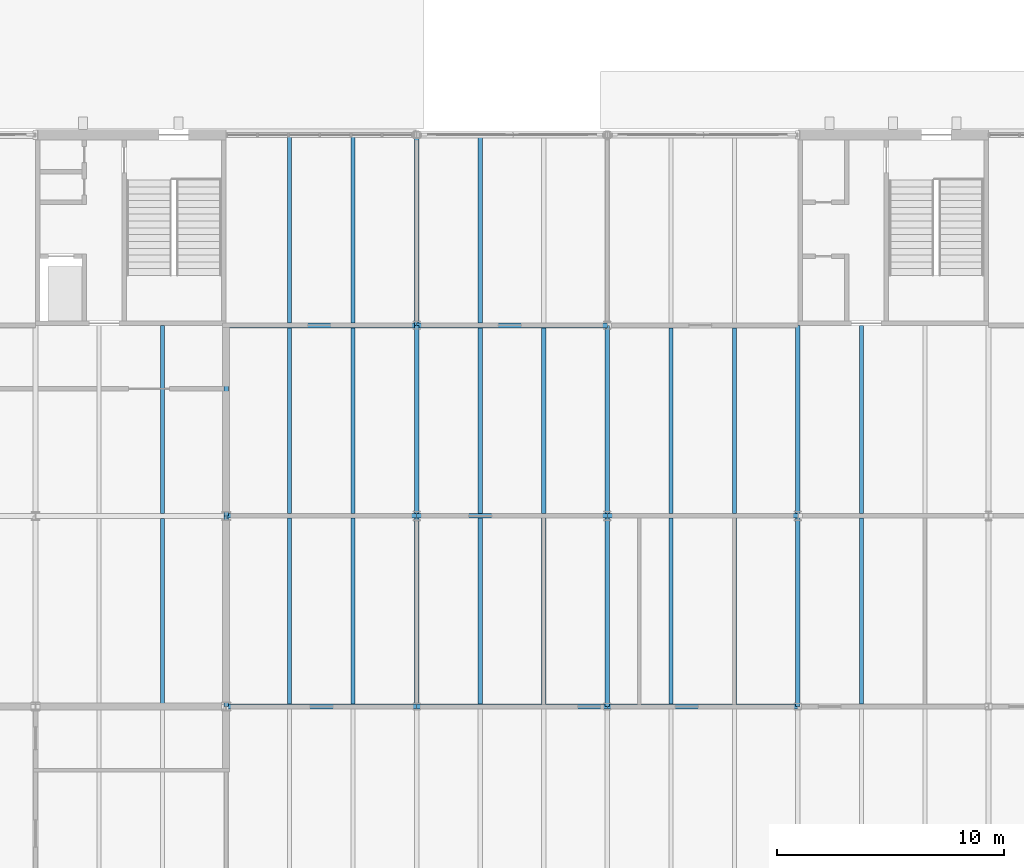
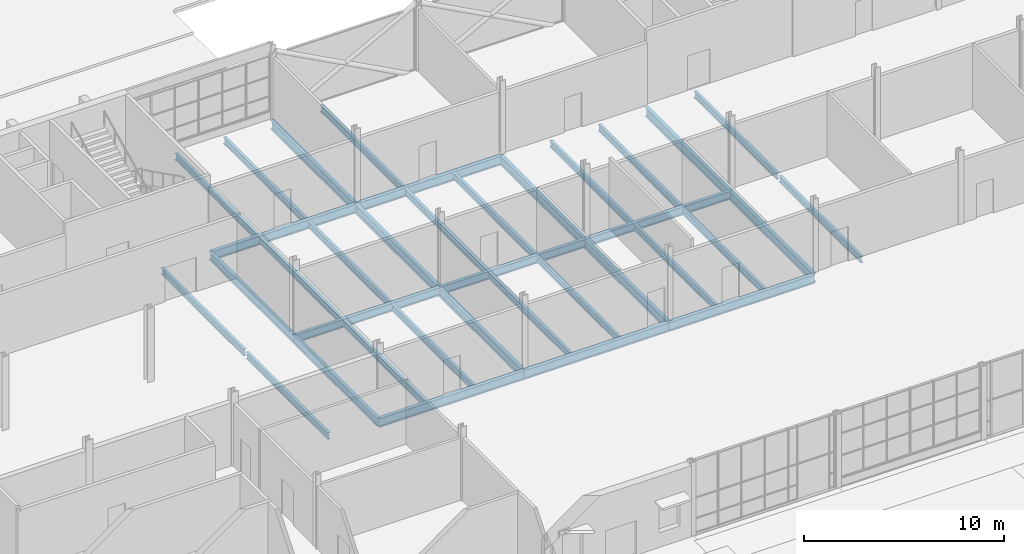
# One storey, part 55 of 116: 36 beams.
"""IFC4 building model written with IfcOpenShell, lengths in metres."""

from ifc_helpers import new_model, si_unit, direction, frame, origin, origin_2d, place, context, subcontext, project, spatial, i_section, extrude, material, material_profile, profile_set, type_object, element, save


model = new_model("IFC4")

# Units and contexts
model_context = context("Model", 3, precision=1e-05, world=origin(), true_north=direction((0.0, 1.0)))
body_context = subcontext(model_context, "Body", "Model", "MODEL_VIEW")
ifc_project = project(units=[si_unit("LENGTHUNIT", "METRE"), si_unit("AREAUNIT", "SQUARE_METRE"), si_unit("VOLUMEUNIT", "CUBIC_METRE"), si_unit("PLANEANGLEUNIT", "RADIAN"), si_unit("MASSUNIT", "GRAM", prefix="KILO")], contexts=[model_context])

# Site, building, storey
site_placement = place(None, origin())
site = spatial("IfcSite", under=ifc_project, at=site_placement, CompositionType="ELEMENT")
building_placement = place(site_placement, origin())
building = spatial("IfcBuilding", under=site, at=building_placement, Name="Ardhachandra Cancer Care Centre", CompositionType="ELEMENT")
storey_placement = place(building_placement, origin())
storey = spatial("IfcBuildingStorey", under=building, at=storey_placement, Name="L00", CompositionType="ELEMENT", Elevation=0.0)

# Beams
ifc_material_1 = material(Name="Steel E350 (IS 2062)", Category="steel")
ifc_material_profile_1 = material_profile(ifc_material_1, i_section(OverallWidth=0.179931640625, OverallDepth=0.39990234375, WebThickness=0.008544921875, FlangeThickness=0.013427734375, FilletRadius=0.02099609375, at=origin_2d()), Name="NPB 400x180x66.30")
ifc_profile_set_1 = profile_set([ifc_material_profile_1], Name="Steel E350 (IS 2062)")
beam_type_1 = type_object("IfcBeamType", Name="Beam NPB 400x180x66.30", PredefinedType="BEAM", material=ifc_profile_set_1)
beam_1_placement = place(storey_placement, frame((41.60009765625, 71.5, -0.35009765625), z_axis=(0.0, 1.0, 0.0), x_axis=(-1.0, 0.0, 0.0)))
element("IfcBeam", 1, at=beam_1_placement, inside=storey, type_object=beam_type_1, Name="Secondary H4-J4@5600", PredefinedType="BEAM", context=body_context, shape_type="SweptSolid", body=[
    extrude(i_section(OverallWidth=0.179931640625, OverallDepth=0.39990234375, WebThickness=0.008544921875, FlangeThickness=0.013427734375, FilletRadius=0.02099609375, at=origin_2d()), origin(), (0.0, 0.0, 1.0), 8.195068359375),
])
beam_2_placement = place(storey_placement, frame((41.60009765625, 79.905029296875, -0.35009765625), z_axis=(0.0, 1.0, 0.0), x_axis=(-1.0, 0.0, 0.0)))
element("IfcBeam", 2, at=beam_2_placement, inside=storey, type_object=beam_type_1, Name="Secondary J4-K4@5600", PredefinedType="BEAM", context=body_context, shape_type="SweptSolid", body=[
    extrude(i_section(OverallWidth=0.179931640625, OverallDepth=0.39990234375, WebThickness=0.008544921875, FlangeThickness=0.013427734375, FilletRadius=0.02099609375, at=origin_2d()), origin(), (0.0, 0.0, 1.0), 8.294921875),
])
for number, where, z_axis, x_axis, name in (
    (3, (47.199951171875, 71.5048828125, -0.35009765625), (0.0, 1.0, 0.0), (-1.0, 0.0, 0.0), "Secondary H5-J5@2800"),
    (4, (47.199951171875, 79.89990234375, -0.35009765625), (0.0, 1.0, 0.0), (-1.0, 0.0, 0.0), "Secondary J5-K5@2800"),
    (5, (47.199951171875, 88.304931640625, -0.35009765625), (0.0, 1.0, 0.0), (-1.0, 0.0, 0.0), "Secondary K5-L5@2800"),
    (6, (50.0, 71.5048828125, -0.35009765625), (0.0, 1.0, 0.0), (-1.0, 0.0, 0.0), "Secondary H5-J5@5600"),
    (7, (50.0, 79.89990234375, -0.35009765625), (0.0, 1.0, 0.0), (-1.0, 0.0, 0.0), "Secondary J5-K5@5600"),
    (8, (50.0, 88.304931640625, -0.35009765625), (0.0, 1.0, 0.0), (-1.0, 0.0, 0.0), "Secondary K5-L5@5600"),
    (9, (55.60009765625, 71.5048828125, -0.35009765625), (0.0, 1.0, 0.0), (-1.0, 0.0, 0.0), "Secondary H6-J6@2800"),
    (10, (55.60009765625, 79.89990234375, -0.35009765625), (0.0, 1.0, 0.0), (-1.0, 0.0, 0.0), "Secondary J6-K6@2800"),
    (11, (55.60009765625, 88.304931640625, -0.35009765625), (0.0, 1.0, 0.0), (-1.0, 0.0, 0.0), "Secondary K6-L6@2800"),
    (12, (58.39990234375, 71.5048828125, -0.35009765625), (0.0, 1.0, 0.0), (-1.0, 0.0, 0.0), "Secondary H6-J6@5600"),
    (13, (58.39990234375, 79.89990234375, -0.35009765625), (0.0, 1.0, 0.0), (-1.0, 0.0, 0.0), "Secondary J6-K6@5600"),
    (14, (64.0, 71.5048828125, -0.35009765625), (0.0, 1.0, 0.0), (-1.0, 0.0, 0.0), "Secondary H7-J7@2800"),
    (15, (64.0, 79.89990234375, -0.35009765625), (0.0, 1.0, 0.0), (-1.0, 0.0, 0.0), "Secondary J7-K7@2800"),
    (16, (66.800048828125, 71.5048828125, -0.35009765625), (0.0, 1.0, 0.0), (-1.0, 0.0, 0.0), "Secondary H7-J7@5600"),
    (17, (66.800048828125, 79.89990234375, -0.35009765625), (0.0, 1.0, 0.0), (-1.0, 0.0, 0.0), "Secondary J7-K7@5600"),
    (18, (72.39990234375, 71.5048828125, -0.35009765625), (0.0, 1.0, 0.0), (-1.0, 0.0, 0.0), "Secondary H8-J8@2800"),
):
    element("IfcBeam", number, at=place(storey_placement, frame(where, z_axis=z_axis, x_axis=x_axis)), inside=storey, type_object=beam_type_1, Name=name, PredefinedType="BEAM", context=body_context, shape_type="SweptSolid", body=[
        extrude(i_section(OverallWidth=0.179931640625, OverallDepth=0.39990234375, WebThickness=0.008544921875, FlangeThickness=0.013427734375, FilletRadius=0.02099609375, at=origin_2d()), origin(), (0.0, 0.0, 1.0), 8.195068359375),
    ])
beam_3_placement = place(storey_placement, frame((72.39990234375, 79.89990234375, -0.35009765625), z_axis=(0.0, 1.0, 0.0), x_axis=(-1.0, 0.0, 0.0)))
element("IfcBeam", 19, at=beam_3_placement, inside=storey, type_object=beam_type_1, Name="Secondary J8-K8@2800", PredefinedType="BEAM", context=body_context, shape_type="SweptSolid", body=[
    extrude(i_section(OverallWidth=0.179931640625, OverallDepth=0.39990234375, WebThickness=0.008544921875, FlangeThickness=0.013427734375, FilletRadius=0.02099609375, at=origin_2d()), origin(), (0.0, 0.0, 1.0), 8.300048828125),
])
ifc_material_2 = material(Name="Steel E350 (IS 2062)", Category="steel")
ifc_material_profile_2 = material_profile(ifc_material_2, i_section(OverallWidth=0.199951171875, OverallDepth=0.5, WebThickness=0.01025390625, FlangeThickness=0.01611328125, FilletRadius=0.02099609375, at=origin_2d()), Name="NPB 500x200x90.68")
ifc_profile_set_2 = profile_set([ifc_material_profile_2], Name="Steel E350 (IS 2062)")
beam_type_2 = type_object("IfcBeamType", Name="Beam NPB 500x200x90.68", PredefinedType="BEAM", material=ifc_profile_set_2)
beam_4_placement = place(storey_placement, frame((44.39990234375, 79.800048828125, -0.39990234375), z_axis=(1.0, 0.0, 0.0), x_axis=(0.0, 1.0, 0.0)))
element("IfcBeam", 20, at=beam_4_placement, inside=storey, type_object=beam_type_2, Name="Edge girder J5-J6", PredefinedType="BEAM", context=body_context, shape_type="SweptSolid", body=[
    extrude(i_section(OverallWidth=0.199951171875, OverallDepth=0.5, WebThickness=0.01025390625, FlangeThickness=0.01611328125, FilletRadius=0.02099609375, at=origin_2d()), origin(), (0.0, 0.0, 1.0), 8.400146484375),
])
beam_5_placement = place(storey_placement, frame((52.800048828125, 79.800048828125, -0.39990234375), z_axis=(1.0, 0.0, 0.0), x_axis=(0.0, 1.0, 0.0)))
element("IfcBeam", 21, at=beam_5_placement, inside=storey, type_object=beam_type_2, Name="Edge girder J6-J7", PredefinedType="BEAM", context=body_context, shape_type="SweptSolid", body=[
    extrude(i_section(OverallWidth=0.199951171875, OverallDepth=0.5, WebThickness=0.01025390625, FlangeThickness=0.01611328125, FilletRadius=0.02099609375, at=origin_2d()), origin(), (0.0, 0.0, 1.0), 8.39990234375),
])
for number, where, z_axis, x_axis, name in (
    (22, (61.199951171875, 79.800048828125, -0.39990234375), (1.0, 0.0, 0.0), (0.0, 1.0, 0.0), "Edge girder J7-J8"),
    (23, (44.39990234375, 71.39990234375, -0.39990234375), (0.0, 1.0, 0.0), (-1.0, 0.0, 0.0), "Edge girder H5-J5"),
):
    element("IfcBeam", number, at=place(storey_placement, frame(where, z_axis=z_axis, x_axis=x_axis)), inside=storey, type_object=beam_type_2, Name=name, PredefinedType="BEAM", context=body_context, shape_type="SweptSolid", body=[
        extrude(i_section(OverallWidth=0.199951171875, OverallDepth=0.5, WebThickness=0.01025390625, FlangeThickness=0.01611328125, FilletRadius=0.02099609375, at=origin_2d()), origin(), (0.0, 0.0, 1.0), 8.400146484375),
    ])
beam_6_placement = place(storey_placement, frame((44.39990234375, 79.800048828125, -0.39990234375), z_axis=(0.0, 1.0, 0.0), x_axis=(-1.0, 0.0, 0.0)))
element("IfcBeam", 24, at=beam_6_placement, inside=storey, type_object=beam_type_2, Name="Edge girder J5-K5", PredefinedType="BEAM", context=body_context, shape_type="SweptSolid", body=[
    extrude(i_section(OverallWidth=0.199951171875, OverallDepth=0.5, WebThickness=0.01025390625, FlangeThickness=0.01611328125, FilletRadius=0.02099609375, at=origin_2d()), origin(), (0.0, 0.0, 1.0), 8.39990234375),
])
ifc_material_3 = material(Name="Steel E350 (IS 2062)", Category="steel")
ifc_material_profile_3 = material_profile(ifc_material_3, i_section(OverallWidth=0.2099609375, OverallDepth=0.550048828125, WebThickness=0.010986328125, FlangeThickness=0.01708984375, FilletRadius=0.02392578125, at=origin_2d()), Name="NPB 550x210x105.52")
ifc_profile_set_3 = profile_set([ifc_material_profile_3], Name="Steel E350 (IS 2062)")
beam_type_3 = type_object("IfcBeamType", Name="Beam NPB 550x210x105.52", PredefinedType="BEAM", material=ifc_profile_set_3)
beam_7_placement = place(storey_placement, frame((44.39990234375, 71.39990234375, -0.425048828125), z_axis=(1.0, 0.0, 0.0), x_axis=(0.0, 1.0, 0.0)))
element("IfcBeam", 25, at=beam_7_placement, inside=storey, type_object=beam_type_3, Name="Girder H5-H6", PredefinedType="BEAM", context=body_context, shape_type="SweptSolid", body=[
    extrude(i_section(OverallWidth=0.2099609375, OverallDepth=0.550048828125, WebThickness=0.010986328125, FlangeThickness=0.01708984375, FilletRadius=0.02392578125, at=origin_2d()), origin(), (0.0, 0.0, 1.0), 8.400146484375),
])
beam_8_placement = place(storey_placement, frame((52.800048828125, 71.39990234375, -0.425048828125), z_axis=(1.0, 0.0, 0.0), x_axis=(0.0, 1.0, 0.0)))
element("IfcBeam", 26, at=beam_8_placement, inside=storey, type_object=beam_type_3, Name="Girder H6-H7", PredefinedType="BEAM", context=body_context, shape_type="SweptSolid", body=[
    extrude(i_section(OverallWidth=0.2099609375, OverallDepth=0.550048828125, WebThickness=0.010986328125, FlangeThickness=0.01708984375, FilletRadius=0.02392578125, at=origin_2d()), origin(), (0.0, 0.0, 1.0), 8.39990234375),
])
for number, where, z_axis, x_axis, name in (
    (27, (61.199951171875, 71.39990234375, -0.425048828125), (1.0, 0.0, 0.0), (0.0, 1.0, 0.0), "Girder H7-H8"),
    (28, (44.39990234375, 88.199951171875, -0.425048828125), (1.0, 0.0, 0.0), (0.0, 1.0, 0.0), "Girder K5-K6"),
):
    element("IfcBeam", number, at=place(storey_placement, frame(where, z_axis=z_axis, x_axis=x_axis)), inside=storey, type_object=beam_type_3, Name=name, PredefinedType="BEAM", context=body_context, shape_type="SweptSolid", body=[
        extrude(i_section(OverallWidth=0.2099609375, OverallDepth=0.550048828125, WebThickness=0.010986328125, FlangeThickness=0.01708984375, FilletRadius=0.02392578125, at=origin_2d()), origin(), (0.0, 0.0, 1.0), 8.400146484375),
    ])
beam_9_placement = place(storey_placement, frame((52.800048828125, 88.199951171875, -0.425048828125), z_axis=(1.0, 0.0, 0.0), x_axis=(0.0, 1.0, 0.0)))
element("IfcBeam", 29, at=beam_9_placement, inside=storey, type_object=beam_type_3, Name="Girder K6-K7", PredefinedType="BEAM", context=body_context, shape_type="SweptSolid", body=[
    extrude(i_section(OverallWidth=0.2099609375, OverallDepth=0.550048828125, WebThickness=0.010986328125, FlangeThickness=0.01708984375, FilletRadius=0.02392578125, at=origin_2d()), origin(), (0.0, 0.0, 1.0), 8.39990234375),
])
beam_10_placement = place(storey_placement, frame((52.800048828125, 71.39990234375, -0.425048828125), z_axis=(0.0, 1.0, 0.0), x_axis=(-1.0, 0.0, 0.0)))
element("IfcBeam", 30, at=beam_10_placement, inside=storey, type_object=beam_type_3, Name="Girder H6-J6", PredefinedType="BEAM", context=body_context, shape_type="SweptSolid", body=[
    extrude(i_section(OverallWidth=0.2099609375, OverallDepth=0.550048828125, WebThickness=0.010986328125, FlangeThickness=0.01708984375, FilletRadius=0.02392578125, at=origin_2d()), origin(), (0.0, 0.0, 1.0), 8.400146484375),
])
beam_11_placement = place(storey_placement, frame((52.800048828125, 79.800048828125, -0.425048828125), z_axis=(0.0, 1.0, 0.0), x_axis=(-1.0, 0.0, 0.0)))
element("IfcBeam", 31, at=beam_11_placement, inside=storey, type_object=beam_type_3, Name="Girder J6-K6", PredefinedType="BEAM", context=body_context, shape_type="SweptSolid", body=[
    extrude(i_section(OverallWidth=0.2099609375, OverallDepth=0.550048828125, WebThickness=0.010986328125, FlangeThickness=0.01708984375, FilletRadius=0.02392578125, at=origin_2d()), origin(), (0.0, 0.0, 1.0), 8.39990234375),
])
for number, where, z_axis, x_axis, name in (
    (32, (52.800048828125, 88.199951171875, -0.425048828125), (0.0, 1.0, 0.0), (-1.0, 0.0, 0.0), "Girder K6-L6"),
    (33, (61.199951171875, 71.39990234375, -0.425048828125), (0.0, 1.0, 0.0), (-1.0, 0.0, 0.0), "Girder H7-J7"),
):
    element("IfcBeam", number, at=place(storey_placement, frame(where, z_axis=z_axis, x_axis=x_axis)), inside=storey, type_object=beam_type_3, Name=name, PredefinedType="BEAM", context=body_context, shape_type="SweptSolid", body=[
        extrude(i_section(OverallWidth=0.2099609375, OverallDepth=0.550048828125, WebThickness=0.010986328125, FlangeThickness=0.01708984375, FilletRadius=0.02392578125, at=origin_2d()), origin(), (0.0, 0.0, 1.0), 8.400146484375),
    ])
beam_12_placement = place(storey_placement, frame((61.199951171875, 79.800048828125, -0.425048828125), z_axis=(0.0, 1.0, 0.0), x_axis=(-1.0, 0.0, 0.0)))
element("IfcBeam", 34, at=beam_12_placement, inside=storey, type_object=beam_type_3, Name="Girder J7-K7", PredefinedType="BEAM", context=body_context, shape_type="SweptSolid", body=[
    extrude(i_section(OverallWidth=0.2099609375, OverallDepth=0.550048828125, WebThickness=0.010986328125, FlangeThickness=0.01708984375, FilletRadius=0.02392578125, at=origin_2d()), origin(), (0.0, 0.0, 1.0), 8.39990234375),
])
beam_13_placement = place(storey_placement, frame((69.60009765625, 71.39990234375, -0.425048828125), z_axis=(0.0, 1.0, 0.0), x_axis=(-1.0, 0.0, 0.0)))
element("IfcBeam", 35, at=beam_13_placement, inside=storey, type_object=beam_type_3, Name="Girder H8-J8", PredefinedType="BEAM", context=body_context, shape_type="SweptSolid", body=[
    extrude(i_section(OverallWidth=0.2099609375, OverallDepth=0.550048828125, WebThickness=0.010986328125, FlangeThickness=0.01708984375, FilletRadius=0.02392578125, at=origin_2d()), origin(), (0.0, 0.0, 1.0), 8.400146484375),
])
beam_14_placement = place(storey_placement, frame((69.60009765625, 79.800048828125, -0.425048828125), z_axis=(0.0, 1.0, 0.0), x_axis=(-1.0, 0.0, 0.0)))
element("IfcBeam", 36, at=beam_14_placement, inside=storey, type_object=beam_type_3, Name="Girder J8-K8", PredefinedType="BEAM", context=body_context, shape_type="SweptSolid", body=[
    extrude(i_section(OverallWidth=0.2099609375, OverallDepth=0.550048828125, WebThickness=0.010986328125, FlangeThickness=0.01708984375, FilletRadius=0.02392578125, at=origin_2d()), origin(), (0.0, 0.0, 1.0), 8.39990234375),
])

save(model, "model.ifc")
